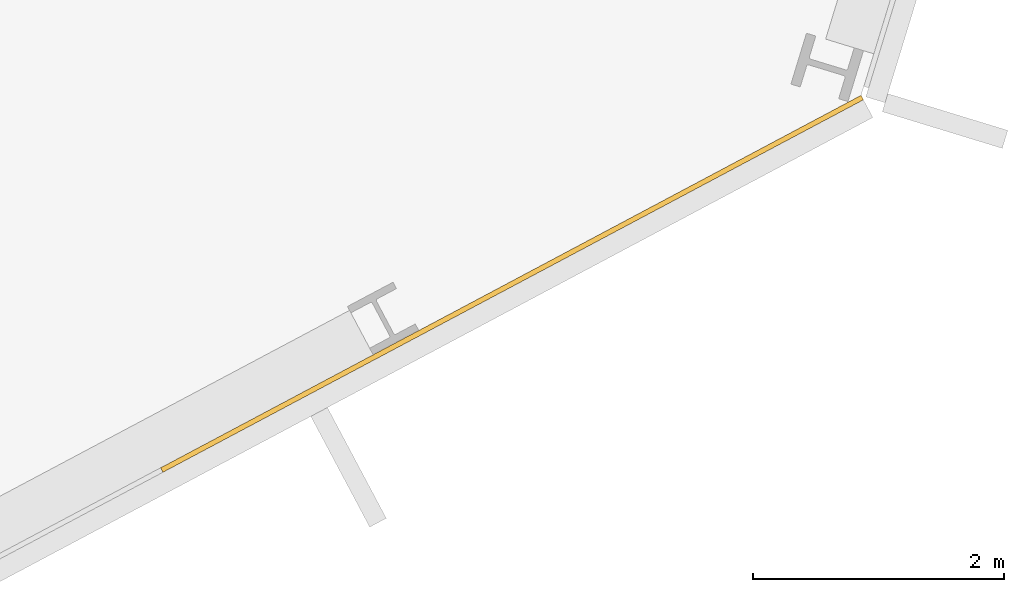
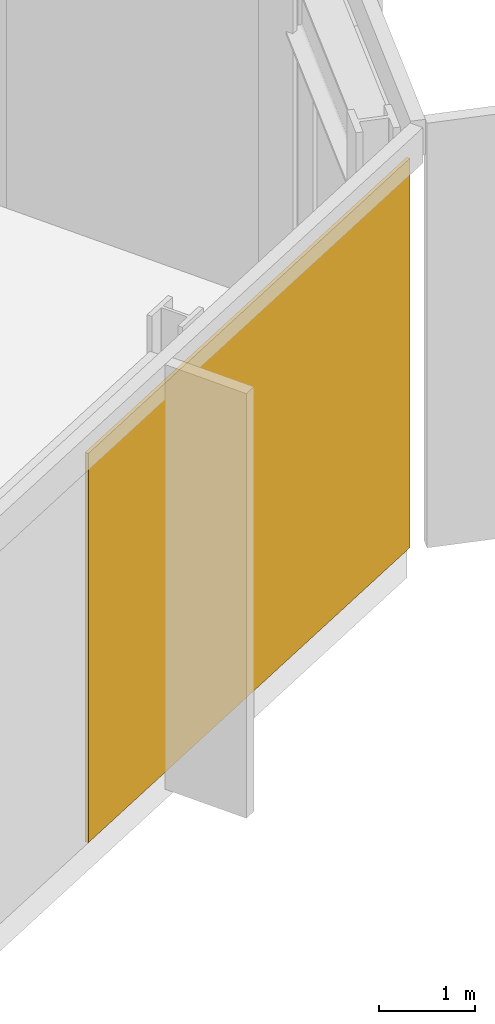
# One storey, part 28 of 31: 1 covering, 1 element without a shape of its own.
"""IFC4 building model written with IfcOpenShell, lengths in metres."""

from ifc_helpers import new_model, si_unit, direction, frame, origin, origin_2d, place, context, subcontext, project, spatial, rectangle, extrude, material, layer, layer_set, type_object, element, aggregate, save


model = new_model("IFC4")

# Units and contexts
model_context = context("Model", 3, precision=1e-05, world=origin(), true_north=direction((0.0, 1.0)))
body_context = subcontext(model_context, "Body", "Model", "MODEL_VIEW")
ifc_project = project(units=[si_unit("LENGTHUNIT", "METRE"), si_unit("AREAUNIT", "SQUARE_METRE"), si_unit("VOLUMEUNIT", "CUBIC_METRE"), si_unit("PLANEANGLEUNIT", "RADIAN"), si_unit("MASSUNIT", "GRAM", prefix="KILO")], contexts=[model_context])

# Site, building, storey
site_placement = place(None, origin())
site = spatial("IfcSite", under=ifc_project, at=site_placement, CompositionType="ELEMENT")
building_placement = place(site_placement, origin())
building = spatial("IfcBuilding", under=site, at=building_placement, Name="Cormorant Relay Tower", CompositionType="ELEMENT")
storey_placement = place(building_placement, frame((0.0, 0.0, 178.199951171875)))
storey = spatial("IfcBuildingStorey", under=building, at=storey_placement, Name="L38", CompositionType="ELEMENT", Elevation=178.199951171875)

# Curtain wall, covering
ifc_material_1 = material(Name="Aluminium 6063-T6 anodised bronze", Category="aluminium")
ifc_layer_1 = layer(ifc_material_1, 0.199951171875)
ifc_layer_set_1 = layer_set([ifc_layer_1], Name="CW1 unitised bronze curtain wall with vertical fins")
curtain_wall_type = type_object("IfcCurtainWallType", Name="CW1 unitised bronze curtain wall with vertical fins", PredefinedType="NOTDEFINED", material=ifc_layer_set_1)
curtain_wall_placement = place(storey_placement, origin())
curtain_wall = element("IfcCurtainWall", 1, at=curtain_wall_placement, inside=storey, type_object=curtain_wall_type, Name="CW1 curtain wall 4", PredefinedType="NOTDEFINED")
ifc_material_2 = material(Name="Pale bronze anodised aluminium insulated panel", Category="aluminium")
ifc_layer_2 = layer(ifc_material_2, 0.0400390625)
ifc_layer_set_2 = layer_set([ifc_layer_2], Name="CW1 pale bronze insulated panel 40")
covering_type = type_object("IfcCoveringType", Name="CW1 pale bronze insulated panel 40", PredefinedType="CLADDING", material=ifc_layer_set_2)
covering_placement = place(storey_placement, frame((52.93310546875, 6.603515625, 0.0), z_axis=(0.0, 0.0, 1.0), x_axis=(0.882947592859, 0.469471562786, 0.0)))
covering = element("IfcCovering", 2, at=covering_placement, type_object=covering_type, Name="CW1 panel S05", PredefinedType="CLADDING", context=body_context, shape_type="SweptSolid", body=[
    extrude(rectangle(XDim=6.324951171875, YDim=0.0400390625, at=origin_2d()), origin(), (0.0, 0.0, 1.0), 4.949951171875),
])
aggregate(curtain_wall, [covering])

save(model, "model.ifc")
